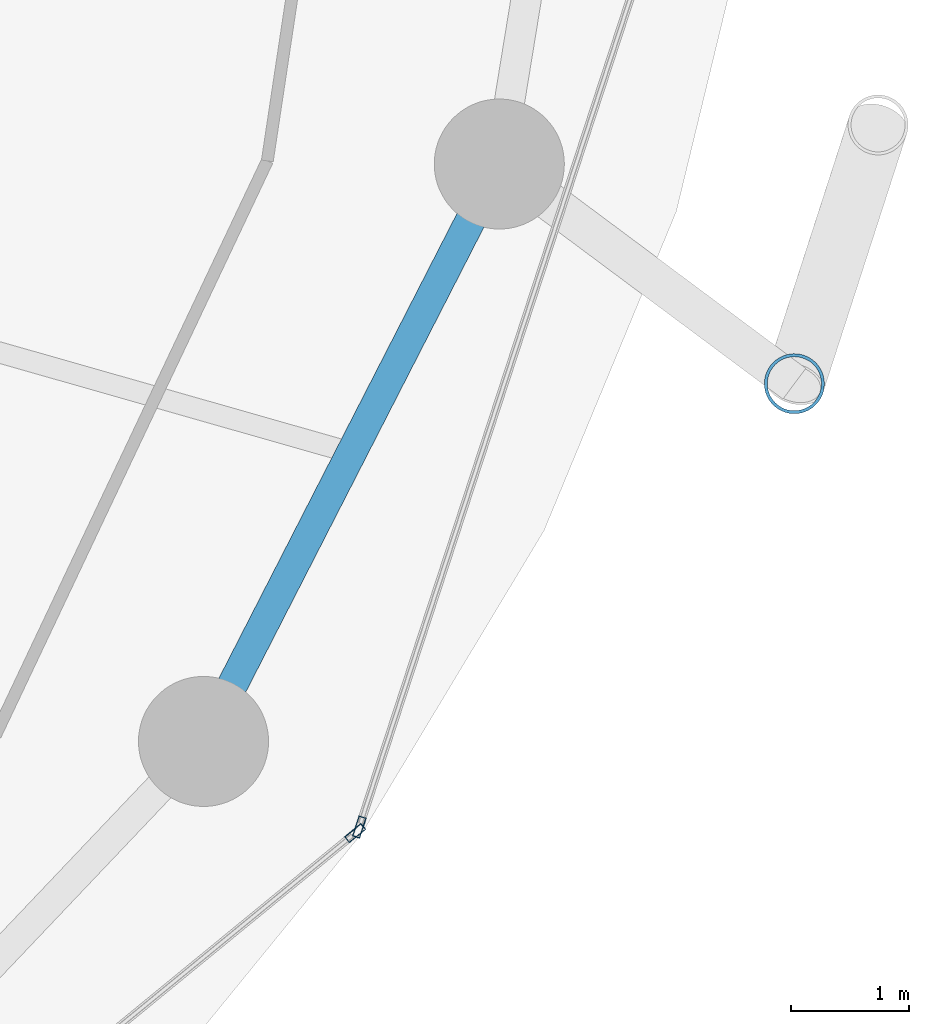
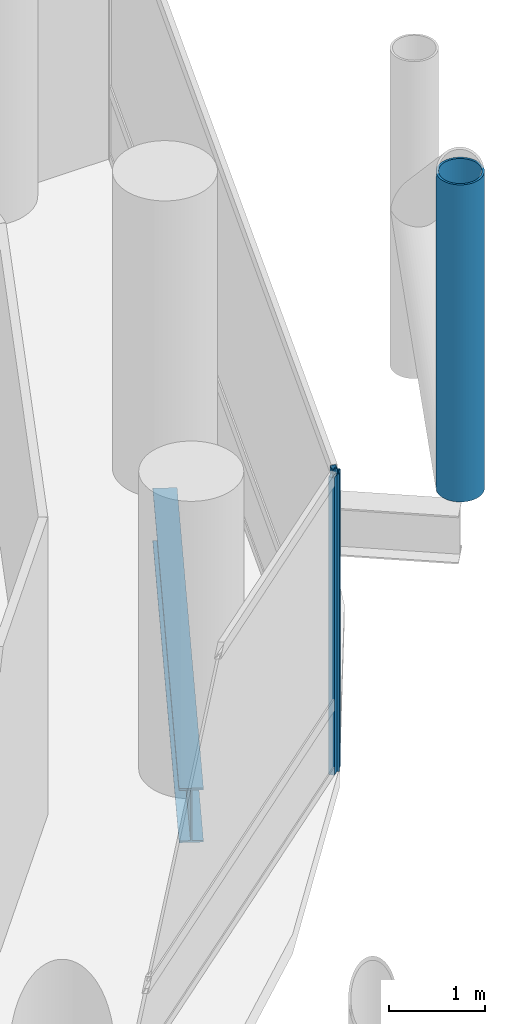
# One storey, part 10 of 26: 3 members, 1 beam, 2 elements without a shape of their own.
"""IFC4 building model written with IfcOpenShell, lengths in metres."""

from ifc_helpers import new_model, si_unit, direction, frame, origin, origin_2d, place, context, subcontext, project, spatial, hollow_rectangle, hollow_circle, i_section, extrude, material, layer, layer_set, material_profile, profile_set, type_object, element, aggregate, save


model = new_model("IFC4")

# Units and contexts
model_context = context("Model", 3, precision=1e-05, world=origin(), true_north=direction((0.0, 1.0)))
body_context = subcontext(model_context, "Body", "Model", "MODEL_VIEW")
ifc_project = project(units=[si_unit("LENGTHUNIT", "METRE"), si_unit("AREAUNIT", "SQUARE_METRE"), si_unit("VOLUMEUNIT", "CUBIC_METRE"), si_unit("PLANEANGLEUNIT", "RADIAN"), si_unit("MASSUNIT", "GRAM", prefix="KILO")], contexts=[model_context])

# Site, building, storey
site_placement = place(None, origin())
site = spatial("IfcSite", under=ifc_project, at=site_placement, CompositionType="ELEMENT")
building_placement = place(site_placement, origin())
building = spatial("IfcBuilding", under=site, at=building_placement, Name="Nuhasar Tower", CompositionType="ELEMENT")
storey_placement = place(building_placement, frame((0.0, 0.0, 97.949951171875)))
storey = spatial("IfcBuildingStorey", under=building, at=storey_placement, Name="L23", CompositionType="ELEMENT", Elevation=97.949951171875)

# Beam
ifc_material_1 = material(Name="Steel S355", Category="steel")
ifc_material_profile_1 = material_profile(ifc_material_1, i_section(OverallWidth=0.256103515625, OverallDepth=0.693115234375, WebThickness=0.014404296875, FlangeThickness=0.023681640625, at=origin_2d()), Name="W27X114")
ifc_profile_set_1 = profile_set([ifc_material_profile_1], Name="Steel S355")
beam_type = type_object("IfcBeamType", Name="BM-RING-W27X114", PredefinedType="SPANDREL", material=ifc_profile_set_1)
beam_placement = place(storey_placement, frame((60.694091796875, 16.675048828125, -0.596923828125), z_axis=(0.455930023905, 0.890015625314, 0.0), x_axis=(-0.890015625314, 0.455930023905, 0.0)))
element("IfcBeam", 1, at=beam_placement, inside=storey, type_object=beam_type, Name="L23 Perimeter Ring Spandrel 23", PredefinedType="SPANDREL", context=body_context, shape_type="SweptSolid", body=[
    extrude(i_section(OverallWidth=0.256103515625, OverallDepth=0.693115234375, WebThickness=0.014404296875, FlangeThickness=0.023681640625, at=origin_2d()), origin(), (0.0, 0.0, 1.0), 5.487548828125),
])

# Curtain wall, member
ifc_material_2 = material(Name="Aluminium 6063-T6", Category="aluminium")
ifc_layer = layer(ifc_material_2, 0.199951171875)
ifc_layer_set = layer_set([ifc_layer], Name="Aluminium 6063-T6")
curtain_wall_type = type_object("IfcCurtainWallType", Name="CW-Z1-OFF", PredefinedType="NOTDEFINED", material=ifc_layer_set)
curtain_wall_1_placement = place(storey_placement, origin())
curtain_wall_1 = element("IfcCurtainWall", 2, at=curtain_wall_1_placement, inside=storey, type_object=curtain_wall_type, Name="L23 Unitised Curtain Wall 11", PredefinedType="NOTDEFINED")
ifc_material_profile_2 = material_profile(ifc_material_2, hollow_rectangle(XDim=0.06494140625, YDim=0.179931640625, WallThickness=0.0048828125, at=origin_2d()), Name="CWM-2")
ifc_profile_set_2 = profile_set([ifc_material_profile_2], Name="Aluminium 6063-T6")
member_type_1 = type_object("IfcMemberType", Name="CW-MUL-S2", PredefinedType="MULLION", material=ifc_profile_set_2)
member_1_placement = place(storey_placement, frame((61.976806640625, 15.8994140625, 0.0), z_axis=(0.0, 0.0, 1.0), x_axis=(-0.633744593376, 0.773542364946, 0.0)))
member_1 = element("IfcMember", 3, at=member_1_placement, type_object=member_type_1, Name="CW-Z1 mullion 2", PredefinedType="MULLION", context=body_context, shape_type="SweptSolid", body=[
    extrude(hollow_rectangle(XDim=0.06494140625, YDim=0.179931640625, WallThickness=0.0048828125, at=origin_2d()), origin(), (0.0, 0.0, 1.0), 3.800048828125),
])
aggregate(curtain_wall_1, [member_1])

curtain_wall_2_placement = place(storey_placement, origin())
curtain_wall_2 = element("IfcCurtainWall", 4, at=curtain_wall_2_placement, inside=storey, type_object=curtain_wall_type, Name="L23 Unitised Curtain Wall 12", PredefinedType="NOTDEFINED")
member_2_placement = place(storey_placement, frame((62.01220703125, 15.950927734375, 0.0), z_axis=(0.0, 0.0, 1.0), x_axis=(-0.950467534571, 0.310823849997, 0.0)))
member_2 = element("IfcMember", 5, at=member_2_placement, type_object=member_type_1, Name="CW-Z1 mullion 1", PredefinedType="MULLION", context=body_context, shape_type="SweptSolid", body=[
    extrude(hollow_rectangle(XDim=0.06494140625, YDim=0.179931640625, WallThickness=0.0048828125, at=origin_2d()), origin(), (0.0, 0.0, 1.0), 3.800048828125),
])
aggregate(curtain_wall_2, [member_2])

# Member
ifc_material_3 = material(Name="Steel S460", Category="steel")
ifc_material_profile_3 = material_profile(ifc_material_3, hollow_circle(Radius=0.25390625, WallThickness=0.025390625, at=origin_2d()), Name="HSS508X25.4")
ifc_profile_set_3 = profile_set([ifc_material_profile_3], Name="Steel S460")
member_type_2 = type_object("IfcMemberType", Name="EXO-BRONZE-508", PredefinedType="BRACE", material=ifc_profile_set_3)
member_3_placement = place(storey_placement, frame((65.69189453125, 19.700927734375, 0.0), z_axis=(0.0, 0.0, 1.0), x_axis=(1.0, 0.0, 0.0)))
element("IfcMember", 6, at=member_3_placement, inside=storey, type_object=member_type_2, Name="L23 Exoskeleton Chord Column EC-12A", PredefinedType="BRACE", context=body_context, shape_type="SweptSolid", body=[
    extrude(hollow_circle(Radius=0.25390625, WallThickness=0.025390625, at=origin_2d()), origin(), (0.0, 0.0, 1.0), 4.050048828125),
])

save(model, "model.ifc")
